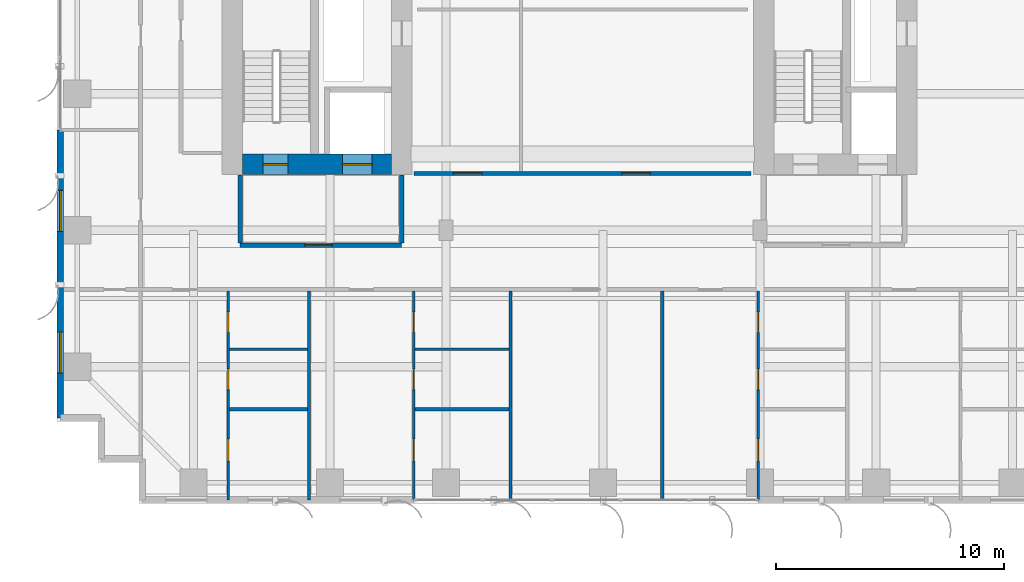
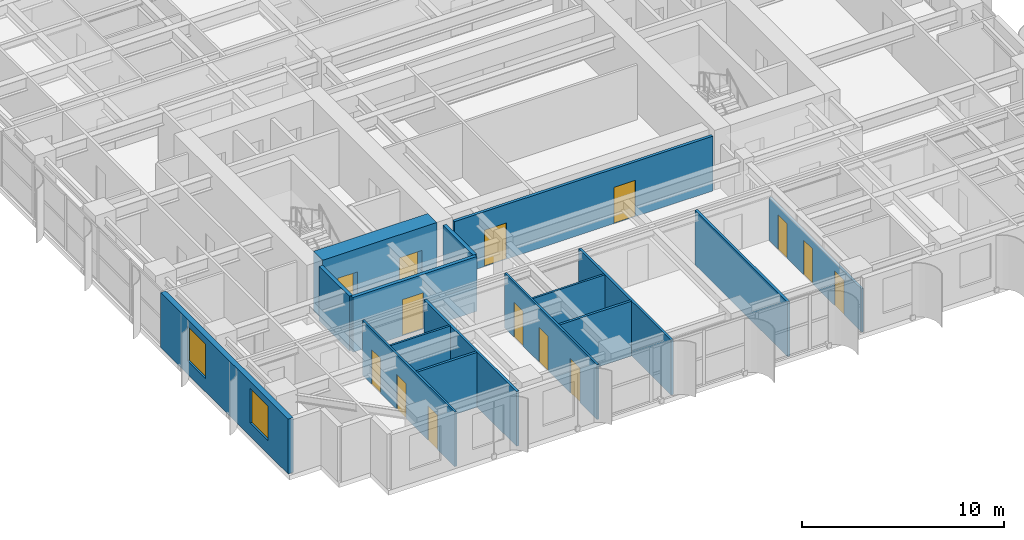
# One storey, part 16 of 24: 16 walls, 14 doors, 2 windows, 16 openings.
"""IFC4 building model written with IfcOpenShell, lengths in metres."""

from ifc_helpers import new_model, si_unit, direction, frame, frame_2d, origin, place, context, subcontext, project, spatial, rectangle, extrude, source, transform, mapped, material, layer, layer_set, type_object, element, fill, save


model = new_model("IFC4")

# Units and contexts
model_context = context("Model", 3, precision=1e-05, world=origin(), true_north=direction((0.0, 1.0)))
body_context = subcontext(model_context, "Body", "Model", "MODEL_VIEW")
ifc_project = project(units=[si_unit("LENGTHUNIT", "METRE"), si_unit("AREAUNIT", "SQUARE_METRE"), si_unit("VOLUMEUNIT", "CUBIC_METRE"), si_unit("PLANEANGLEUNIT", "RADIAN"), si_unit("MASSUNIT", "GRAM", prefix="KILO")], contexts=[model_context])

# Site, building, storey
site_placement = place(None, origin())
site = spatial("IfcSite", under=ifc_project, at=site_placement, CompositionType="ELEMENT")
building_placement = place(site_placement, origin())
building = spatial("IfcBuilding", under=site, at=building_placement, Name="Khoralis Quay Care Tower", CompositionType="ELEMENT")
storey_placement = place(building_placement, frame((0.0, 0.0, 40.5)))
storey = spatial("IfcBuildingStorey", under=building, at=storey_placement, Name="L10", CompositionType="ELEMENT", Elevation=40.5)

# Wall, opening, door
ifc_material_1 = material(Name="Gypsum plasterboard on acoustic metal stud")
ifc_layer_1 = layer(ifc_material_1, 0.199951171875)
ifc_layer_set_1 = layer_set([ifc_layer_1], Name="Gypsum plasterboard on acoustic metal stud")
wall_type_1 = type_object("IfcWallType", Name="WL-COMP-200", PredefinedType="PARTITIONING", material=ifc_layer_set_1)
wall_1_placement = place(storey_placement, frame((8.050048828125, 11.35009765625, 0.0), z_axis=(0.0, 0.0, 1.0), x_axis=(1.0, 0.0, 0.0)))
wall_1 = element("IfcWall", 1, at=wall_1_placement, inside=storey, type_object=wall_type_1, Name="L10 West Firefighting Lobby South Wall", PredefinedType="PARTITIONING", context=body_context, shape_type="SweptSolid", body=[
    extrude(rectangle(XDim=7.099853515625, YDim=0.199951171875, at=frame_2d((3.5498046875, 0.0))), origin(), (0.0, 0.0, 1.0), 3.320068359375),
])
opening_1_placement = place(wall_1_placement, frame((2.846435546875, 0.0, 0.0)))
opening_1 = element("IfcOpeningElement", 2, at=opening_1_placement, cuts=wall_1, Name="Opening FD1", PredefinedType="OPENING", context=body_context, shape_type="SweptSolid", body=[
    extrude(rectangle(XDim=1.199951171875, YDim=2.199951171875, at=frame_2d((0.60009765625, 1.10009765625))), frame((0.0, 0.10986328125, 0.0), z_axis=(0.0, -1.0, 0.0), x_axis=(1.0, 0.0, 0.0)), (0.0, 0.0, 1.0), 0.219970703125),
])
ifc_material_2 = material(Name="Fire-rated painted steel", Category="steel")
door_type_1 = type_object("IfcDoorType", Name="DR-FFL-1200X2200", OperationType="NOTDEFINED", PredefinedType="DOOR", material=ifc_material_2)
shared_shape_1 = source(origin(), body_context, "Body", "SweptSolid", [
    extrude(rectangle(XDim=1.199951171875, YDim=2.199951171875, at=frame_2d((0.60009765625, 1.10009765625))), frame((0.0, 0.02490234375, 0.0), z_axis=(0.0, -1.0, 0.0), x_axis=(1.0, 0.0, 0.0)), (0.0, 0.0, 1.0), 0.050048828125),
])
door_1_placement = place(opening_1_placement, origin())
door_1 = element("IfcDoor", 3, at=door_1_placement, inside=storey, type_object=door_type_1, Name="L10 West Firefighting Lobby Fire Door", OperationType="SINGLE_SWING_RIGHT", OverallHeight=2.199951171875, OverallWidth=1.199951171875, PredefinedType="DOOR", context=body_context, shape_type="MappedRepresentation", body=[
    mapped(shared_shape_1, transform((0.0, 0.0, 0.0), scale=1.0)),
])
fill(opening_1, door_1)

# Walls
for number, where, z_axis, x_axis, name in (
    (4, (8.050048828125, 11.445068359375, 0.0), (0.0, 0.0, 1.0), (0.0, 1.0, 0.0), "L10 West Firefighting Lobby West Wall"),
    (5, (15.14990234375, 11.445068359375, 0.0), (0.0, 0.0, 1.0), (0.0, 1.0, 0.0), "L10 West Firefighting Lobby East Wall"),
):
    element("IfcWall", number, at=place(storey_placement, frame(where, z_axis=z_axis, x_axis=x_axis)), inside=storey, type_object=wall_type_1, Name=name, PredefinedType="PARTITIONING", context=body_context, shape_type="SweptSolid", body=[
        extrude(rectangle(XDim=2.98486328125, YDim=0.199951171875, at=frame_2d((1.492431640625, 0.0))), origin(), (0.0, 0.0, 1.0), 3.320068359375),
    ])

# Wall, openings, doors
ifc_material_3 = material(Name="Concrete C80/95", Category="concrete")
ifc_layer_2 = layer(ifc_material_3, 0.89990234375)
ifc_layer_set_2 = layer_set([ifc_layer_2], Name="Concrete C80/95")
wall_type_2 = type_object("IfcWallType", Name="WL-CORE-900", PredefinedType="SHEAR", material=ifc_layer_set_2)
wall_2_placement = place(storey_placement, frame((8.14990234375, 14.89990234375, 0.0), z_axis=(0.0, 0.0, 1.0), x_axis=(1.0, 0.0, 0.0)))
wall_2 = element("IfcWall", 6, at=wall_2_placement, inside=storey, type_object=wall_type_2, Name="L10 WCORE South Shear Wall", PredefinedType="SHEAR", context=body_context, shape_type="SweptSolid", body=[
    extrude(rectangle(XDim=6.550048828125, YDim=0.89990234375, at=frame_2d((3.27490234375, 0.0))), origin(), (0.0, 0.0, 1.0), 3.60009765625),
])
opening_2_placement = place(wall_2_placement, frame((0.89990234375, 0.0, 0.0)))
opening_2 = element("IfcOpeningElement", 7, at=opening_2_placement, cuts=wall_2, Name="Opening SD1", PredefinedType="OPENING", context=body_context, shape_type="SweptSolid", body=[
    extrude(rectangle(XDim=1.10009765625, YDim=2.199951171875, at=frame_2d((0.550048828125, 1.10009765625))), frame((0.0, 0.4599609375, 0.0), z_axis=(0.0, -1.0, 0.0), x_axis=(1.0, 0.0, 0.0)), (0.0, 0.0, 1.0), 0.919921875),
])
opening_3_placement = place(wall_2_placement, frame((4.39990234375, 0.0, 0.0)))
opening_3 = element("IfcOpeningElement", 8, at=opening_3_placement, cuts=wall_2, Name="Opening LD2", PredefinedType="OPENING", context=body_context, shape_type="SweptSolid", body=[
    extrude(rectangle(XDim=1.300048828125, YDim=2.199951171875, at=frame_2d((0.64990234375, 1.10009765625))), frame((0.0, 0.4599609375, 0.0), z_axis=(0.0, -1.0, 0.0), x_axis=(1.0, 0.0, 0.0)), (0.0, 0.0, 1.0), 0.919921875),
])
door_type_2 = type_object("IfcDoorType", Name="DR-STAIR-1100X2200", OperationType="NOTDEFINED", PredefinedType="DOOR", material=ifc_material_2)
shared_shape_2 = source(origin(), body_context, "Body", "SweptSolid", [
    extrude(rectangle(XDim=1.10009765625, YDim=2.199951171875, at=frame_2d((0.550048828125, 1.10009765625))), frame((0.0, 0.02490234375, 0.0), z_axis=(0.0, -1.0, 0.0), x_axis=(1.0, 0.0, 0.0)), (0.0, 0.0, 1.0), 0.050048828125),
])
door_2_placement = place(opening_2_placement, origin())
door_2 = element("IfcDoor", 9, at=door_2_placement, inside=storey, type_object=door_type_2, Name="L10 Stair ST-T1 Fire Door", OperationType="SINGLE_SWING_RIGHT", OverallHeight=2.199951171875, OverallWidth=1.10009765625, PredefinedType="DOOR", context=body_context, shape_type="MappedRepresentation", body=[
    mapped(shared_shape_2, transform((0.0, 0.0, 0.0), scale=1.0)),
])
fill(opening_2, door_2)
ifc_material_4 = material(Name="Brushed stainless steel", Category="steel")
door_type_3 = type_object("IfcDoorType", Name="DR-LIFT-1300X2200", OperationType="SLIDING_TO_RIGHT", PredefinedType="DOOR", material=ifc_material_4)
shared_shape_3 = source(origin(), body_context, "Body", "SweptSolid", [
    extrude(rectangle(XDim=1.300048828125, YDim=2.199951171875, at=frame_2d((0.64990234375, 1.10009765625))), frame((0.0, 0.02490234375, 0.0), z_axis=(0.0, -1.0, 0.0), x_axis=(1.0, 0.0, 0.0)), (0.0, 0.0, 1.0), 0.050048828125),
])
door_3_placement = place(opening_3_placement, origin())
door_3 = element("IfcDoor", 10, at=door_3_placement, inside=storey, type_object=door_type_3, Name="L10 Firefighting Lift FFL-1 Landing Door", OperationType="SLIDING_TO_RIGHT", OverallHeight=2.199951171875, OverallWidth=1.300048828125, PredefinedType="DOOR", context=body_context, shape_type="MappedRepresentation", body=[
    mapped(shared_shape_3, transform((0.0, 0.0, 0.0), scale=1.0)),
])
fill(opening_3, door_3)

ifc_layer_3 = layer(ifc_material_1, 0.1650390625)
ifc_layer_set_3 = layer_set([ifc_layer_3], Name="Gypsum plasterboard on acoustic metal stud")
wall_type_3 = type_object("IfcWallType", Name="WL-CORR-165", PredefinedType="PARTITIONING", material=ifc_layer_set_3)
wall_3_placement = place(storey_placement, frame((15.699951171875, 14.5, 0.0), z_axis=(0.0, 0.0, 1.0), x_axis=(1.0, 0.0, 0.0)))
wall_3 = element("IfcWall", 11, at=wall_3_placement, inside=storey, type_object=wall_type_3, Name="L10 Central Clinical South Wall", PredefinedType="PARTITIONING", context=body_context, shape_type="SweptSolid", body=[
    extrude(rectangle(XDim=14.800048828125, YDim=0.1650390625, at=frame_2d((7.39990234375, 0.0))), origin(), (0.0, 0.0, 1.0), 3.320068359375),
])
opening_4_placement = place(wall_3_placement, frame((1.72509765625, 0.0, 0.0)))
opening_4 = element("IfcOpeningElement", 12, at=opening_4_placement, cuts=wall_3, Name="Opening CD1", PredefinedType="OPENING", context=body_context, shape_type="SweptSolid", body=[
    extrude(rectangle(XDim=1.25, YDim=2.199951171875, at=frame_2d((0.625, 1.10009765625))), frame((0.0, 0.092529296875, 0.0), z_axis=(0.0, -1.0, 0.0), x_axis=(1.0, 0.0, 0.0)), (0.0, 0.0, 1.0), 0.18505859375),
])
opening_5_placement = place(wall_3_placement, frame((9.125, 0.0, 0.0)))
opening_5 = element("IfcOpeningElement", 13, at=opening_5_placement, cuts=wall_3, Name="Opening CD1", PredefinedType="OPENING", context=body_context, shape_type="SweptSolid", body=[
    extrude(rectangle(XDim=1.25, YDim=2.199951171875, at=frame_2d((0.625, 1.10009765625))), frame((0.0, 0.092529296875, 0.0), z_axis=(0.0, -1.0, 0.0), x_axis=(1.0, 0.0, 0.0)), (0.0, 0.0, 1.0), 0.18505859375),
])
ifc_material_5 = material(Name="Acoustic hardwood timber", Category="wood")
door_type_4 = type_object("IfcDoorType", Name="DR-CARE-1250X2200", OperationType="NOTDEFINED", PredefinedType="DOOR", material=ifc_material_5)
shared_shape_4 = source(origin(), body_context, "Body", "SweptSolid", [
    extrude(rectangle(XDim=1.25, YDim=2.199951171875, at=frame_2d((0.625, 1.10009765625))), frame((0.0, 0.02490234375, 0.0), z_axis=(0.0, -1.0, 0.0), x_axis=(1.0, 0.0, 0.0)), (0.0, 0.0, 1.0), 0.050048828125),
])
door_4_placement = place(opening_4_placement, origin())
door_4 = element("IfcDoor", 14, at=door_4_placement, inside=storey, type_object=door_type_4, Name="L10 Nurse Station Door", OperationType="SINGLE_SWING_LEFT", OverallHeight=2.199951171875, OverallWidth=1.25, PredefinedType="DOOR", context=body_context, shape_type="MappedRepresentation", body=[
    mapped(shared_shape_4, transform((0.0, 0.0, 0.0), scale=1.0)),
])
fill(opening_4, door_4)
door_5_placement = place(opening_5_placement, origin())
door_5 = element("IfcDoor", 15, at=door_5_placement, inside=storey, type_object=door_type_4, Name="L10 Treatment Clinic Door", OperationType="SINGLE_SWING_RIGHT", OverallHeight=2.199951171875, OverallWidth=1.25, PredefinedType="DOOR", context=body_context, shape_type="MappedRepresentation", body=[
    mapped(shared_shape_4, transform((0.0, 0.0, 0.0), scale=1.0)),
])
fill(opening_5, door_5)

# Wall, openings, windows
ifc_material_6 = material(Name="Precast concrete C45/55", Category="concrete")
ifc_layer_4 = layer(ifc_material_6, 0.300048828125)
ifc_layer_set_4 = layer_set([ifc_layer_4], Name="Precast concrete C45/55")
wall_type_4 = type_object("IfcWallType", Name="WL-EXT-REF-300", PredefinedType="SOLIDWALL", material=ifc_layer_set_4)
wall_4_placement = place(storey_placement, frame((0.14990234375, 16.39990234375, 0.0), z_axis=(0.0, 0.0, 1.0), x_axis=(0.0, -1.0, 0.0)))
wall_4 = element("IfcWall", 16, at=wall_4_placement, inside=storey, type_object=wall_type_4, Name="L10 External Facade Wall WL-EXT-L10-P1-E15B", PredefinedType="SOLIDWALL", context=body_context, shape_type="SweptSolid", body=[
    extrude(rectangle(XDim=12.64990234375, YDim=0.300048828125, at=frame_2d((6.324951171875, 0.0))), origin(), (0.0, 0.0, 1.0), 3.320068359375),
])
opening_6_placement = place(wall_4_placement, frame((2.64990234375, 0.0, 0.800048828125)))
opening_6 = element("IfcOpeningElement", 17, at=opening_6_placement, cuts=wall_4, Name="Opening W2", PredefinedType="OPENING", context=body_context, shape_type="SweptSolid", body=[
    extrude(rectangle(XDim=1.800048828125, YDim=2.10009765625, at=frame_2d((0.89990234375, 1.050048828125))), frame((0.0, 0.16015625, 0.0), z_axis=(0.0, -1.0, 0.0), x_axis=(1.0, 0.0, 0.0)), (0.0, 0.0, 1.0), 0.320068359375),
])
opening_7_placement = place(wall_4_placement, frame((8.875, 0.0, 0.800048828125)))
opening_7 = element("IfcOpeningElement", 18, at=opening_7_placement, cuts=wall_4, Name="Opening W2", PredefinedType="OPENING", context=body_context, shape_type="SweptSolid", body=[
    extrude(rectangle(XDim=1.800048828125, YDim=2.10009765625, at=frame_2d((0.89990234375, 1.050048828125))), frame((0.0, 0.16015625, 0.0), z_axis=(0.0, -1.0, 0.0), x_axis=(1.0, 0.0, 0.0)), (0.0, 0.0, 1.0), 0.320068359375),
])
ifc_material_7 = material(Name="Low-E solar-control double glazing", Category="glass")
window_type = type_object("IfcWindowType", Name="WN-POD-1800X2100", PartitioningType="SINGLE_PANEL", PredefinedType="WINDOW", material=ifc_material_7)
shared_shape_5 = source(origin(), body_context, "Body", "SweptSolid", [
    extrude(rectangle(XDim=1.800048828125, YDim=2.10009765625, at=frame_2d((0.89990234375, 1.050048828125))), frame((0.0, 0.030029296875, 0.0), z_axis=(0.0, -1.0, 0.0), x_axis=(1.0, 0.0, 0.0)), (0.0, 0.0, 1.0), 0.06005859375),
])
window_1_placement = place(opening_6_placement, origin())
window_1 = element("IfcWindow", 19, at=window_1_placement, inside=storey, type_object=window_type, Name="WN-L10-P1-E15B Facade Window 01", OverallHeight=2.10009765625, OverallWidth=1.800048828125, PartitioningType="SINGLE_PANEL", PredefinedType="WINDOW", context=body_context, shape_type="MappedRepresentation", body=[
    mapped(shared_shape_5, transform((0.0, 0.0, 0.0), scale=1.0)),
])
fill(opening_6, window_1)
window_2_placement = place(opening_7_placement, origin())
window_2 = element("IfcWindow", 20, at=window_2_placement, inside=storey, type_object=window_type, Name="WN-L10-P1-E15B Facade Window 02", OverallHeight=2.10009765625, OverallWidth=1.800048828125, PartitioningType="SINGLE_PANEL", PredefinedType="WINDOW", context=body_context, shape_type="MappedRepresentation", body=[
    mapped(shared_shape_5, transform((0.0, 0.0, 0.0), scale=1.0)),
])
fill(opening_7, window_2)

# Wall, openings, doors
ifc_layer_5 = layer(ifc_material_1, 0.114990234375)
ifc_layer_set_5 = layer_set([ifc_layer_5], Name="Gypsum plasterboard on acoustic metal stud")
wall_type_5 = type_object("IfcWallType", Name="WL-PART-115", PredefinedType="PARTITIONING", material=ifc_layer_set_5)
wall_5_placement = place(storey_placement, frame((7.528076171875, 0.14501953125, 0.0), z_axis=(0.0, 0.0, 1.0), x_axis=(0.0, 1.0, 0.0)))
wall_5 = element("IfcWall", 21, at=wall_5_placement, inside=storey, type_object=wall_type_5, Name="L10 Unit 0 Internal Wall", PredefinedType="PARTITIONING", context=body_context, shape_type="SweptSolid", body=[
    extrude(rectangle(XDim=9.177490234375, YDim=0.114990234375, at=frame_2d((4.5888671875, 0.0))), origin(), (0.0, 0.0, 1.0), 3.320068359375),
])
opening_8_placement = place(wall_5_placement, frame((1.722900390625, 0.0, 0.0)))
opening_8 = element("IfcOpeningElement", 22, at=opening_8_placement, cuts=wall_5, Name="Opening ID1", PredefinedType="OPENING", context=body_context, shape_type="SweptSolid", body=[
    extrude(rectangle(XDim=0.949951171875, YDim=2.10009765625, at=frame_2d((0.47509765625, 1.050048828125))), frame((0.0, 0.0673828125, 0.0), z_axis=(0.0, -1.0, 0.0), x_axis=(1.0, 0.0, 0.0)), (0.0, 0.0, 1.0), 0.135009765625),
])
opening_9_placement = place(wall_5_placement, frame((4.85693359375, 0.0, 0.0)))
opening_9 = element("IfcOpeningElement", 23, at=opening_9_placement, cuts=wall_5, Name="Opening WD1", PredefinedType="OPENING", context=body_context, shape_type="SweptSolid", body=[
    extrude(rectangle(XDim=0.89990234375, YDim=2.10009765625, at=frame_2d((0.449951171875, 1.050048828125))), frame((0.0, 0.0673828125, 0.0), z_axis=(0.0, -1.0, 0.0), x_axis=(1.0, 0.0, 0.0)), (0.0, 0.0, 1.0), 0.135009765625),
])
opening_10_placement = place(wall_5_placement, frame((7.3740234375, 0.0, 0.0)))
opening_10 = element("IfcOpeningElement", 24, at=opening_10_placement, cuts=wall_5, Name="Opening WD1", PredefinedType="OPENING", context=body_context, shape_type="SweptSolid", body=[
    extrude(rectangle(XDim=0.89990234375, YDim=2.10009765625, at=frame_2d((0.449951171875, 1.050048828125))), frame((0.0, 0.0673828125, 0.0), z_axis=(0.0, -1.0, 0.0), x_axis=(1.0, 0.0, 0.0)), (0.0, 0.0, 1.0), 0.135009765625),
])
door_type_5 = type_object("IfcDoorType", Name="DR-BATH-900X2100", OperationType="NOTDEFINED", PredefinedType="DOOR", material=ifc_material_5)
shared_shape_6 = source(origin(), body_context, "Body", "SweptSolid", [
    extrude(rectangle(XDim=0.89990234375, YDim=2.10009765625, at=frame_2d((0.449951171875, 1.050048828125))), frame((0.0, 0.02490234375, 0.0), z_axis=(0.0, -1.0, 0.0), x_axis=(1.0, 0.0, 0.0)), (0.0, 0.0, 1.0), 0.050048828125),
])
door_6_placement = place(opening_9_placement, frame((0.89990234375, 0.0, 0.0), z_axis=(0.0, 0.0, 1.0), x_axis=(-1.0, 0.0, 0.0)))
door_6 = element("IfcDoor", 25, at=door_6_placement, inside=storey, type_object=door_type_5, Name="L10 Apartment SB0 KIT Door", OperationType="SINGLE_SWING_RIGHT", OverallHeight=2.10009765625, OverallWidth=0.89990234375, PredefinedType="DOOR", context=body_context, shape_type="MappedRepresentation", body=[
    mapped(shared_shape_6, transform((0.0, 0.0, 0.0), scale=1.0)),
])
fill(opening_9, door_6)
door_7_placement = place(opening_10_placement, frame((0.89990234375, 0.0, 0.0), z_axis=(0.0, 0.0, 1.0), x_axis=(-1.0, 0.0, 0.0)))
door_7 = element("IfcDoor", 26, at=door_7_placement, inside=storey, type_object=door_type_5, Name="L10 Apartment SB0 BTH Door", OperationType="SINGLE_SWING_LEFT", OverallHeight=2.10009765625, OverallWidth=0.89990234375, PredefinedType="DOOR", context=body_context, shape_type="MappedRepresentation", body=[
    mapped(shared_shape_6, transform((0.0, 0.0, 0.0), scale=1.0)),
])
fill(opening_10, door_7)
door_type_6 = type_object("IfcDoorType", Name="DR-ROOM-950X2100", OperationType="NOTDEFINED", PredefinedType="DOOR", material=ifc_material_5)
shared_shape_7 = source(origin(), body_context, "Body", "SweptSolid", [
    extrude(rectangle(XDim=0.949951171875, YDim=2.10009765625, at=frame_2d((0.47509765625, 1.050048828125))), frame((0.0, 0.02490234375, 0.0), z_axis=(0.0, -1.0, 0.0), x_axis=(1.0, 0.0, 0.0)), (0.0, 0.0, 1.0), 0.050048828125),
])
door_8_placement = place(opening_8_placement, frame((0.949951171875, 0.0, 0.0), z_axis=(0.0, 0.0, 1.0), x_axis=(-1.0, 0.0, 0.0)))
door_8 = element("IfcDoor", 27, at=door_8_placement, inside=storey, type_object=door_type_6, Name="L10 Apartment SB0 BED Door", OperationType="SINGLE_SWING_LEFT", OverallHeight=2.10009765625, OverallWidth=0.949951171875, PredefinedType="DOOR", context=body_context, shape_type="MappedRepresentation", body=[
    mapped(shared_shape_7, transform((0.0, 0.0, 0.0), scale=1.0)),
])
fill(opening_8, door_8)

# Wall
wall_6_placement = place(storey_placement, frame((7.58056640625, 6.76806640625, 0.0), z_axis=(0.0, 0.0, 1.0), x_axis=(1.0, 0.0, 0.0)))
element("IfcWall", 28, at=wall_6_placement, inside=storey, type_object=wall_type_5, Name="L10 Unit 0 Kitchen Wall", PredefinedType="PARTITIONING", context=body_context, shape_type="SweptSolid", body=[
    extrude(rectangle(XDim=3.434326171875, YDim=0.114990234375, at=frame_2d((1.71728515625, 0.0))), origin(), (0.0, 0.0, 1.0), 3.320068359375),
])

# Wall, openings, doors
wall_7_placement = place(storey_placement, frame((15.68701171875, 0.14501953125, 0.0), z_axis=(0.0, 0.0, 1.0), x_axis=(0.0, 1.0, 0.0)))
wall_7 = element("IfcWall", 29, at=wall_7_placement, inside=storey, type_object=wall_type_5, Name="L10 Unit 1 Internal Wall", PredefinedType="PARTITIONING", context=body_context, shape_type="SweptSolid", body=[
    extrude(rectangle(XDim=9.177490234375, YDim=0.114990234375, at=frame_2d((4.5888671875, 0.0))), origin(), (0.0, 0.0, 1.0), 3.320068359375),
])
opening_11_placement = place(wall_7_placement, frame((1.722900390625, 0.0, 0.0)))
opening_11 = element("IfcOpeningElement", 30, at=opening_11_placement, cuts=wall_7, Name="Opening ID1", PredefinedType="OPENING", context=body_context, shape_type="SweptSolid", body=[
    extrude(rectangle(XDim=0.949951171875, YDim=2.10009765625, at=frame_2d((0.47509765625, 1.050048828125))), frame((0.0, 0.0673828125, 0.0), z_axis=(0.0, -1.0, 0.0), x_axis=(1.0, 0.0, 0.0)), (0.0, 0.0, 1.0), 0.135009765625),
])
opening_12_placement = place(wall_7_placement, frame((4.85693359375, 0.0, 0.0)))
opening_12 = element("IfcOpeningElement", 31, at=opening_12_placement, cuts=wall_7, Name="Opening WD1", PredefinedType="OPENING", context=body_context, shape_type="SweptSolid", body=[
    extrude(rectangle(XDim=0.89990234375, YDim=2.10009765625, at=frame_2d((0.449951171875, 1.050048828125))), frame((0.0, 0.0673828125, 0.0), z_axis=(0.0, -1.0, 0.0), x_axis=(1.0, 0.0, 0.0)), (0.0, 0.0, 1.0), 0.135009765625),
])
opening_13_placement = place(wall_7_placement, frame((7.3740234375, 0.0, 0.0)))
opening_13 = element("IfcOpeningElement", 32, at=opening_13_placement, cuts=wall_7, Name="Opening WD1", PredefinedType="OPENING", context=body_context, shape_type="SweptSolid", body=[
    extrude(rectangle(XDim=0.89990234375, YDim=2.10009765625, at=frame_2d((0.449951171875, 1.050048828125))), frame((0.0, 0.0673828125, 0.0), z_axis=(0.0, -1.0, 0.0), x_axis=(1.0, 0.0, 0.0)), (0.0, 0.0, 1.0), 0.135009765625),
])
door_9_placement = place(opening_12_placement, frame((0.89990234375, 0.0, 0.0), z_axis=(0.0, 0.0, 1.0), x_axis=(-1.0, 0.0, 0.0)))
door_9 = element("IfcDoor", 33, at=door_9_placement, inside=storey, type_object=door_type_5, Name="L10 Apartment SB1 KIT Door", OperationType="SINGLE_SWING_LEFT", OverallHeight=2.10009765625, OverallWidth=0.89990234375, PredefinedType="DOOR", context=body_context, shape_type="MappedRepresentation", body=[
    mapped(shared_shape_6, transform((0.0, 0.0, 0.0), scale=1.0)),
])
fill(opening_12, door_9)
door_10_placement = place(opening_13_placement, frame((0.89990234375, 0.0, 0.0), z_axis=(0.0, 0.0, 1.0), x_axis=(-1.0, 0.0, 0.0)))
door_10 = element("IfcDoor", 34, at=door_10_placement, inside=storey, type_object=door_type_5, Name="L10 Apartment SB1 BTH Door", OperationType="SINGLE_SWING_RIGHT", OverallHeight=2.10009765625, OverallWidth=0.89990234375, PredefinedType="DOOR", context=body_context, shape_type="MappedRepresentation", body=[
    mapped(shared_shape_6, transform((0.0, 0.0, 0.0), scale=1.0)),
])
fill(opening_13, door_10)
door_11_placement = place(opening_11_placement, frame((0.949951171875, 0.0, 0.0), z_axis=(0.0, 0.0, 1.0), x_axis=(-1.0, 0.0, 0.0)))
door_11 = element("IfcDoor", 35, at=door_11_placement, inside=storey, type_object=door_type_6, Name="L10 Apartment SB1 BED Door", OperationType="SINGLE_SWING_RIGHT", OverallHeight=2.10009765625, OverallWidth=0.949951171875, PredefinedType="DOOR", context=body_context, shape_type="MappedRepresentation", body=[
    mapped(shared_shape_7, transform((0.0, 0.0, 0.0), scale=1.0)),
])
fill(opening_11, door_11)

# Wall
wall_8_placement = place(storey_placement, frame((15.739501953125, 6.76806640625, 0.0), z_axis=(0.0, 0.0, 1.0), x_axis=(1.0, 0.0, 0.0)))
element("IfcWall", 36, at=wall_8_placement, inside=storey, type_object=wall_type_5, Name="L10 Unit 1 Kitchen Wall", PredefinedType="PARTITIONING", context=body_context, shape_type="SweptSolid", body=[
    extrude(rectangle(XDim=4.135498046875, YDim=0.114990234375, at=frame_2d((2.06787109375, 0.0))), origin(), (0.0, 0.0, 1.0), 3.320068359375),
])

# Wall, openings, doors
wall_9_placement = place(storey_placement, frame((30.827880859375, 0.14501953125, 0.0), z_axis=(0.0, 0.0, 1.0), x_axis=(0.0, 1.0, 0.0)))
wall_9 = element("IfcWall", 37, at=wall_9_placement, inside=storey, type_object=wall_type_5, Name="L10 Unit 3 Internal Wall", PredefinedType="PARTITIONING", context=body_context, shape_type="SweptSolid", body=[
    extrude(rectangle(XDim=9.177490234375, YDim=0.114990234375, at=frame_2d((4.5888671875, 0.0))), origin(), (0.0, 0.0, 1.0), 2.625),
])
opening_14_placement = place(wall_9_placement, frame((1.722900390625, 0.0, 0.0)))
opening_14 = element("IfcOpeningElement", 38, at=opening_14_placement, cuts=wall_9, Name="Opening ID1", PredefinedType="OPENING", context=body_context, shape_type="SweptSolid", body=[
    extrude(rectangle(XDim=0.949951171875, YDim=2.10009765625, at=frame_2d((0.47509765625, 1.050048828125))), frame((0.0, 0.0673828125, 0.0), z_axis=(0.0, -1.0, 0.0), x_axis=(1.0, 0.0, 0.0)), (0.0, 0.0, 1.0), 0.135009765625),
])
opening_15_placement = place(wall_9_placement, frame((4.85693359375, 0.0, 0.0)))
opening_15 = element("IfcOpeningElement", 39, at=opening_15_placement, cuts=wall_9, Name="Opening WD1", PredefinedType="OPENING", context=body_context, shape_type="SweptSolid", body=[
    extrude(rectangle(XDim=0.89990234375, YDim=2.10009765625, at=frame_2d((0.449951171875, 1.050048828125))), frame((0.0, 0.0673828125, 0.0), z_axis=(0.0, -1.0, 0.0), x_axis=(1.0, 0.0, 0.0)), (0.0, 0.0, 1.0), 0.135009765625),
])
opening_16_placement = place(wall_9_placement, frame((7.3740234375, 0.0, 0.0)))
opening_16 = element("IfcOpeningElement", 40, at=opening_16_placement, cuts=wall_9, Name="Opening WD1", PredefinedType="OPENING", context=body_context, shape_type="SweptSolid", body=[
    extrude(rectangle(XDim=0.89990234375, YDim=2.10009765625, at=frame_2d((0.449951171875, 1.050048828125))), frame((0.0, 0.0673828125, 0.0), z_axis=(0.0, -1.0, 0.0), x_axis=(1.0, 0.0, 0.0)), (0.0, 0.0, 1.0), 0.135009765625),
])
door_12_placement = place(opening_15_placement, frame((0.89990234375, 0.0, 0.0), z_axis=(0.0, 0.0, 1.0), x_axis=(-1.0, 0.0, 0.0)))
door_12 = element("IfcDoor", 41, at=door_12_placement, inside=storey, type_object=door_type_5, Name="L10 Apartment SB3 KIT Door", OperationType="SINGLE_SWING_LEFT", OverallHeight=2.10009765625, OverallWidth=0.89990234375, PredefinedType="DOOR", context=body_context, shape_type="MappedRepresentation", body=[
    mapped(shared_shape_6, transform((0.0, 0.0, 0.0), scale=1.0)),
])
fill(opening_15, door_12)
door_13_placement = place(opening_16_placement, frame((0.89990234375, 0.0, 0.0), z_axis=(0.0, 0.0, 1.0), x_axis=(-1.0, 0.0, 0.0)))
door_13 = element("IfcDoor", 42, at=door_13_placement, inside=storey, type_object=door_type_5, Name="L10 Apartment SB3 BTH Door", OperationType="SINGLE_SWING_RIGHT", OverallHeight=2.10009765625, OverallWidth=0.89990234375, PredefinedType="DOOR", context=body_context, shape_type="MappedRepresentation", body=[
    mapped(shared_shape_6, transform((0.0, 0.0, 0.0), scale=1.0)),
])
fill(opening_16, door_13)
door_14_placement = place(opening_14_placement, frame((0.949951171875, 0.0, 0.0), z_axis=(0.0, 0.0, 1.0), x_axis=(-1.0, 0.0, 0.0)))
door_14 = element("IfcDoor", 43, at=door_14_placement, inside=storey, type_object=door_type_6, Name="L10 Apartment SB3 BED Door", OperationType="SINGLE_SWING_RIGHT", OverallHeight=2.10009765625, OverallWidth=0.949951171875, PredefinedType="DOOR", context=body_context, shape_type="MappedRepresentation", body=[
    mapped(shared_shape_7, transform((0.0, 0.0, 0.0), scale=1.0)),
])
fill(opening_14, door_14)

# Walls
ifc_material_8 = material(Name="Moisture-resistant gypsum and ceramic tile")
ifc_layer_6 = layer(ifc_material_8, 0.280029296875)
ifc_layer_set_6 = layer_set([ifc_layer_6], Name="Moisture-resistant gypsum and ceramic tile")
wall_type_6 = type_object("IfcWallType", Name="WL-PLUMB-280", PredefinedType="PLUMBINGWALL", material=ifc_layer_set_6)
wall_10_placement = place(storey_placement, frame((7.58056640625, 4.135986328125, 0.0), z_axis=(0.0, 0.0, 1.0), x_axis=(1.0, 0.0, 0.0)))
element("IfcWall", 44, at=wall_10_placement, inside=storey, type_object=wall_type_6, Name="L10 Unit 0 Wet Wall", PredefinedType="PLUMBINGWALL", context=body_context, shape_type="SweptSolid", body=[
    extrude(rectangle(XDim=3.434326171875, YDim=0.139892578125, at=frame_2d((1.71728515625, 0.0))), origin(), (0.0, 0.0, 1.0), 3.320068359375),
])
wall_11_placement = place(storey_placement, frame((15.739501953125, 4.135986328125, 0.0), z_axis=(0.0, 0.0, 1.0), x_axis=(1.0, 0.0, 0.0)))
element("IfcWall", 45, at=wall_11_placement, inside=storey, type_object=wall_type_6, Name="L10 Unit 1 Wet Wall", PredefinedType="PLUMBINGWALL", context=body_context, shape_type="SweptSolid", body=[
    extrude(rectangle(XDim=4.135498046875, YDim=0.139892578125, at=frame_2d((2.06787109375, 0.0))), origin(), (0.0, 0.0, 1.0), 3.320068359375),
])
ifc_layer_7 = layer(ifc_material_1, 0.139892578125)
ifc_layer_set_7 = layer_set([ifc_layer_7], Name="Gypsum plasterboard on acoustic metal stud")
wall_type_7 = type_object("IfcWallType", Name="WL-UNIT-140", PredefinedType="PARTITIONING", material=ifc_layer_set_7)
for number, where, z_axis, x_axis, name in (
    (46, (11.080078125, 0.14501953125, 0.0), (0.0, 0.0, 1.0), (0.0, 1.0, 0.0), "L10 SB Demising Wall 1"),
    (47, (19.93994140625, 0.14501953125, 0.0), (0.0, 0.0, 1.0), (0.0, 1.0, 0.0), "L10 SB Demising Wall 2"),
    (48, (26.60009765625, 0.14501953125, 0.0), (0.0, 0.0, 1.0), (0.0, 1.0, 0.0), "L10 SB Demising Wall 3"),
):
    element("IfcWall", number, at=place(storey_placement, frame(where, z_axis=z_axis, x_axis=x_axis)), inside=storey, type_object=wall_type_7, Name=name, PredefinedType="PARTITIONING", context=body_context, shape_type="SweptSolid", body=[
        extrude(rectangle(XDim=9.177490234375, YDim=0.139892578125, at=frame_2d((4.5888671875, 0.0))), origin(), (0.0, 0.0, 1.0), 3.320068359375),
    ])

save(model, "model.ifc")
